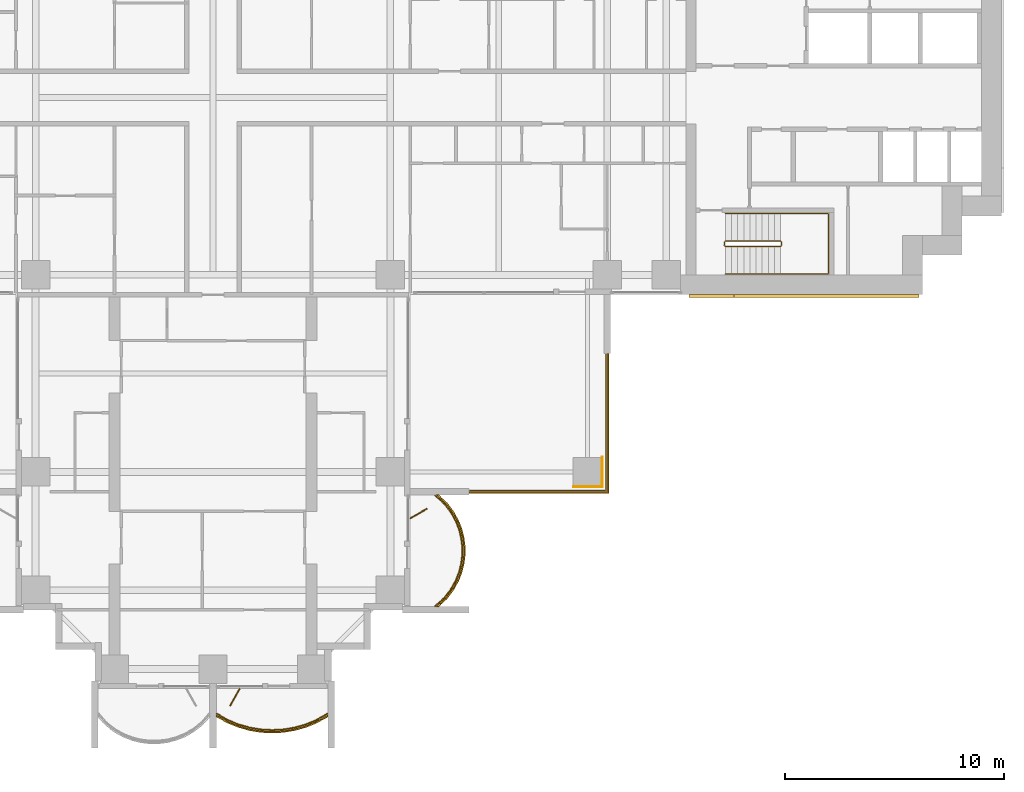
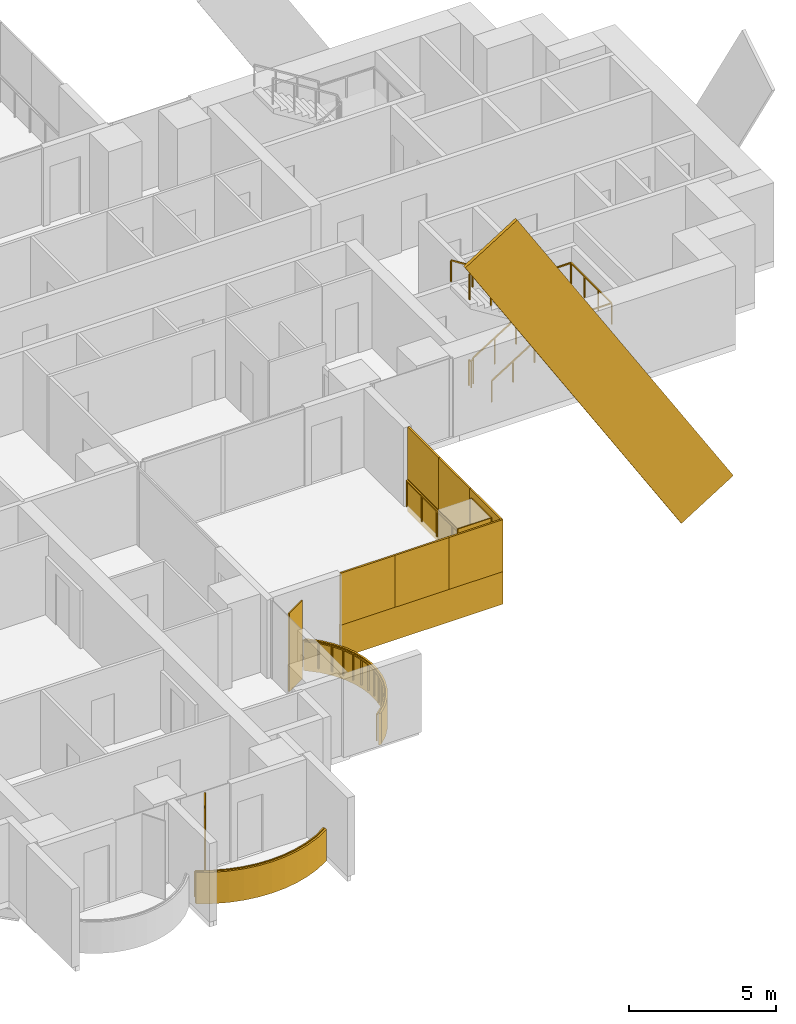
# One storey, part 20 of 23: 12 coverings, 5 railings, 2 shading devices.
"""IFC4 building model written with IfcOpenShell, lengths in metres."""

from ifc_helpers import new_model, si_unit, direction, frame, origin, origin_2d, place, context, subcontext, project, spatial, polyline, rectangle, outline, extrude, material, layer, layer_set, material_profile, profile_set, type_object, element, save


model = new_model("IFC4")

# Units and contexts
model_context = context("Model", 3, precision=1e-05, world=origin(), true_north=direction((0.0, 1.0)))
body_context = subcontext(model_context, "Body", "Model", "MODEL_VIEW")
ifc_project = project(units=[si_unit("LENGTHUNIT", "METRE"), si_unit("AREAUNIT", "SQUARE_METRE"), si_unit("VOLUMEUNIT", "CUBIC_METRE"), si_unit("PLANEANGLEUNIT", "RADIAN"), si_unit("MASSUNIT", "GRAM", prefix="KILO")], contexts=[model_context])

# Site, building, storey
site_placement = place(None, origin())
site = spatial("IfcSite", under=ifc_project, at=site_placement, CompositionType="ELEMENT")
building_placement = place(site_placement, origin())
building = spatial("IfcBuilding", under=site, at=building_placement, Name="Perihelion Cross Residences", CompositionType="ELEMENT")
storey_placement = place(building_placement, frame((0.0, 0.0, 61.0)))
storey = spatial("IfcBuildingStorey", under=building, at=storey_placement, Name="L12", CompositionType="ELEMENT", Elevation=61.0)

# Coverings
ifc_material_1 = material(Name="Bronze anodised aluminium", Category="aluminium")
ifc_layer_1 = layer(ifc_material_1, 0.070068359375)
ifc_layer_set_1 = layer_set([ifc_layer_1], Name="Balcony fascia 1300")
covering_type_1 = type_object("IfcCoveringType", Name="Balcony fascia 1300", PredefinedType="CLADDING", material=ifc_layer_set_1)
covering_1_placement = place(storey_placement, frame((0.0, 0.0, -0.199951171875)))
element("IfcCovering", 1, at=covering_1_placement, inside=storey, type_object=covering_type_1, Name="Fascia BF1 L12 south tip south bay 2", PredefinedType="CLADDING", context=body_context, shape_type="SweptSolid", body=[
    extrude(outline(polyline([(0.629638671875, -28.54833984375), (1.147216796875, -28.7607421875), (1.664794921875, -28.906494140625), (2.182373046875, -28.991943359375), (2.699951171875, -29.02001953125), (3.217529296875, -28.991943359375), (3.735107421875, -28.906494140625), (4.2529296875, -28.7607421875), (4.7705078125, -28.54833984375), (5.25, -28.2802734375), (5.25, -28.199951171875), (4.739990234375, -28.4853515625), (4.22998046875, -28.694580078125), (3.719970703125, -28.838134765625), (3.2099609375, -28.92236328125), (2.699951171875, -28.949951171875), (2.18994140625, -28.92236328125), (1.679931640625, -28.838134765625), (1.169921875, -28.694580078125), (0.659912109375, -28.4853515625), (0.14990234375, -28.199951171875), (0.14990234375, -28.2802734375), (0.629638671875, -28.54833984375)])), origin(), (0.0, 0.0, 1.0), 1.300048828125),
])
covering_2_placement = place(storey_placement, frame((0.0, 0.0, -0.199951171875)))
element("IfcCovering", 2, at=covering_2_placement, inside=storey, type_object=covering_type_1, Name="Fascia BF1 L12 south side east bay 1", PredefinedType="CLADDING", context=body_context, shape_type="SweptSolid", body=[
    extrude(outline(polyline([(10.674072265625, -22.90478515625), (10.982666015625, -22.50390625), (11.20654296875, -22.10302734375), (11.364013671875, -21.7021484375), (11.464599609375, -21.30126953125), (11.513916015625, -20.900390625), (11.513916015625, -20.49951171875), (11.464599609375, -20.0986328125), (11.364013671875, -19.69775390625), (11.20654296875, -19.296875), (10.982666015625, -18.89599609375), (10.674072265625, -18.4951171875), (10.302734375, -18.14990234375), (10.199951171875, -18.14990234375), (10.622314453125, -18.542236328125), (10.924072265625, -18.9345703125), (11.143310546875, -19.326904296875), (11.29736328125, -19.71923828125), (11.39599609375, -20.111572265625), (11.444091796875, -20.50390625), (11.444091796875, -20.896240234375), (11.39599609375, -21.28857421875), (11.29736328125, -21.6806640625), (11.143310546875, -22.072998046875), (10.924072265625, -22.46533203125), (10.622314453125, -22.857666015625), (10.199951171875, -23.25), (10.302734375, -23.25), (10.674072265625, -22.90478515625)])), origin(), (0.0, 0.0, 1.0), 1.300048828125),
])

# Railings
ifc_material_2 = material(Name="Bronze anodised aluminium", Category="aluminium")
railing_type_1 = type_object("IfcRailingType", Name="Balcony guard 1100", PredefinedType="GUARDRAIL", material=ifc_material_2)
railing_1_placement = place(storey_placement, frame((0.175048828125, -28.139892578125, 0.0)))
element("IfcRailing", 3, at=railing_1_placement, inside=storey, type_object=railing_type_1, Name="Guard GU1 L12 south tip south bay 2 balcony", PredefinedType="GUARDRAIL", context=body_context, shape_type="SweptSolid", body=[
    extrude(rectangle(XDim=0.048095703125, YDim=0.048095703125, at=origin_2d()), frame((0.0, 0.0, 1.076171875), z_axis=(0.861789164031, -0.507266632806, 0.0), x_axis=(0.507266632806, 0.861789164031, 0.0)), (0.0, 0.0, 1.0), 0.562744140625),
    extrude(rectangle(XDim=0.048095703125, YDim=0.048095703125, at=origin_2d()), frame((0.48486328125, -0.285400390625, 1.076171875), z_axis=(0.925172605972, -0.379546636342, 0.0), x_axis=(0.379546636342, 0.925172605972, 0.0)), (0.0, 0.0, 1.0), 0.55126953125),
    extrude(rectangle(XDim=0.048095703125, YDim=0.048095703125, at=origin_2d()), frame((0.994873046875, -0.49462890625, 1.076171875), z_axis=(0.962474364231, -0.271372618732, 0.0), x_axis=(0.271372618732, 0.962474364231, 0.0)), (0.0, 0.0, 1.0), 0.52978515625),
    extrude(rectangle(XDim=0.048095703125, YDim=0.048095703125, at=origin_2d()), frame((1.5048828125, -0.638427734375, 1.076171875), z_axis=(0.986711211531, -0.162483799314, 0.0), x_axis=(0.162483799314, 0.986711211531, 0.0)), (0.0, 0.0, 1.0), 0.516845703125),
    extrude(rectangle(XDim=0.048095703125, YDim=0.048095703125, at=origin_2d()), frame((2.014892578125, -0.722412109375, 1.076171875), z_axis=(0.998540183677, -0.05401390175, 0.0), x_axis=(0.05401390175, 0.998540183677, 0.0)), (0.0, 0.0, 1.0), 0.5107421875),
    extrude(rectangle(XDim=0.048095703125, YDim=0.048095703125, at=origin_2d()), frame((2.52490234375, -0.75, 1.076171875), z_axis=(0.998540183677, 0.05401390175, 0.0), x_axis=(-0.05401390175, 0.998540183677, 0.0)), (0.0, 0.0, 1.0), 0.5107421875),
    extrude(rectangle(XDim=0.048095703125, YDim=0.048095703125, at=origin_2d()), frame((3.034912109375, -0.722412109375, 1.076171875), z_axis=(0.986711211531, 0.162483799314, 0.0), x_axis=(-0.162483799314, 0.986711211531, 0.0)), (0.0, 0.0, 1.0), 0.516845703125),
    extrude(rectangle(XDim=0.048095703125, YDim=0.048095703125, at=origin_2d()), frame((3.544921875, -0.638427734375, 1.076171875), z_axis=(0.962474364231, 0.271372618732, 0.0), x_axis=(-0.271372618732, 0.962474364231, 0.0)), (0.0, 0.0, 1.0), 0.52978515625),
    extrude(rectangle(XDim=0.048095703125, YDim=0.048095703125, at=origin_2d()), frame((4.054931640625, -0.49462890625, 1.076171875), z_axis=(0.925172605972, 0.379546636342, 0.0), x_axis=(-0.379546636342, 0.925172605972, 0.0)), (0.0, 0.0, 1.0), 0.55126953125),
    extrude(rectangle(XDim=0.048095703125, YDim=0.048095703125, at=origin_2d()), frame((4.56494140625, -0.285400390625, 1.076171875), z_axis=(0.861900760591, 0.507076995033, 0.0), x_axis=(-0.507076995033, 0.861900760591, 0.0)), (0.0, 0.0, 1.0), 0.562744140625),
    extrude(rectangle(XDim=0.0419921875, YDim=0.0419921875, at=origin_2d()), origin(), (0.0, 0.0, 1.0), 1.052001953125),
    extrude(rectangle(XDim=0.0419921875, YDim=0.0419921875, at=origin_2d()), frame((0.48486328125, -0.285400390625, 0.0)), (0.0, 0.0, 1.0), 1.052001953125),
    extrude(rectangle(XDim=0.0419921875, YDim=0.0419921875, at=origin_2d()), frame((0.994873046875, -0.49462890625, 0.0)), (0.0, 0.0, 1.0), 1.052001953125),
    extrude(rectangle(XDim=0.0419921875, YDim=0.0419921875, at=origin_2d()), frame((1.5048828125, -0.638427734375, 0.0)), (0.0, 0.0, 1.0), 1.052001953125),
    extrude(rectangle(XDim=0.0419921875, YDim=0.0419921875, at=origin_2d()), frame((2.014892578125, -0.722412109375, 0.0)), (0.0, 0.0, 1.0), 1.052001953125),
    extrude(rectangle(XDim=0.0419921875, YDim=0.0419921875, at=origin_2d()), frame((2.52490234375, -0.75, 0.0)), (0.0, 0.0, 1.0), 1.052001953125),
    extrude(rectangle(XDim=0.0419921875, YDim=0.0419921875, at=origin_2d()), frame((3.034912109375, -0.722412109375, 0.0)), (0.0, 0.0, 1.0), 1.052001953125),
    extrude(rectangle(XDim=0.0419921875, YDim=0.0419921875, at=origin_2d()), frame((3.544921875, -0.638427734375, 0.0)), (0.0, 0.0, 1.0), 1.052001953125),
    extrude(rectangle(XDim=0.0419921875, YDim=0.0419921875, at=origin_2d()), frame((4.054931640625, -0.49462890625, 0.0)), (0.0, 0.0, 1.0), 1.052001953125),
    extrude(rectangle(XDim=0.0419921875, YDim=0.0419921875, at=origin_2d()), frame((4.56494140625, -0.285400390625, 0.0)), (0.0, 0.0, 1.0), 1.052001953125),
    extrude(rectangle(XDim=0.0419921875, YDim=0.0419921875, at=origin_2d()), frame((5.050048828125, 0.0, 0.0)), (0.0, 0.0, 1.0), 1.052001953125),
])
railing_2_placement = place(storey_placement, frame((10.139892578125, -23.22509765625, 0.0)))
element("IfcRailing", 4, at=railing_2_placement, inside=storey, type_object=railing_type_1, Name="Guard GU1 L12 south side east bay 1 balcony", PredefinedType="GUARDRAIL", context=body_context, shape_type="SweptSolid", body=[
    extrude(rectangle(XDim=0.048095703125, YDim=0.048095703125, at=origin_2d()), frame((0.0, 0.0, 1.076171875), z_axis=(0.754464673757, 0.656340655493, 0.0), x_axis=(-0.656340655493, 0.754464673757, 0.0)), (0.0, 0.0, 1.0), 0.559814453125),
    extrude(rectangle(XDim=0.048095703125, YDim=0.048095703125, at=origin_2d()), frame((0.42236328125, 0.367431640625, 1.076171875), z_axis=(0.60966308455, 0.792660660899, 0.0), x_axis=(-0.792660660899, 0.60966308455, 0.0)), (0.0, 0.0, 1.0), 0.494873046875),
    extrude(rectangle(XDim=0.048095703125, YDim=0.048095703125, at=origin_2d()), frame((0.72412109375, 0.759765625, 1.076171875), z_axis=(0.487809182674, 0.872950285698, 0.0), x_axis=(-0.872950285698, 0.487809182674, 0.0)), (0.0, 0.0, 1.0), 0.449462890625),
    extrude(rectangle(XDim=0.048095703125, YDim=0.048095703125, at=origin_2d()), frame((0.943359375, 1.152099609375, 1.076171875), z_axis=(0.365491079925, 0.930814842219, 0.0), x_axis=(-0.930814842219, 0.365491079925, 0.0)), (0.0, 0.0, 1.0), 0.42138671875),
    extrude(rectangle(XDim=0.048095703125, YDim=0.048095703125, at=origin_2d()), frame((1.097412109375, 1.54443359375, 1.076171875), z_axis=(0.243956193074, 0.969786252666, 0.0), x_axis=(-0.969786252666, 0.243956193074, 0.0)), (0.0, 0.0, 1.0), 0.404296875),
    extrude(rectangle(XDim=0.048095703125, YDim=0.048095703125, at=origin_2d()), frame((1.196044921875, 1.9365234375, 1.076171875), z_axis=(0.121677797999, 0.992569651699, 0.0), x_axis=(-0.992569651699, 0.121677797999, 0.0)), (0.0, 0.0, 1.0), 0.395263671875),
    extrude(rectangle(XDim=0.048095703125, YDim=0.048095703125, at=origin_2d()), frame((1.244140625, 2.328857421875, 1.076171875), z_axis=(0.0, 1.0, 0.0), x_axis=(-1.0, 0.0, 0.0)), (0.0, 0.0, 1.0), 0.392333984375),
    extrude(rectangle(XDim=0.048095703125, YDim=0.048095703125, at=origin_2d()), frame((1.244140625, 2.72119140625, 1.076171875), z_axis=(-0.121677797999, 0.992569651699, 0.0), x_axis=(-0.992569651699, -0.121677797999, 0.0)), (0.0, 0.0, 1.0), 0.395263671875),
    extrude(rectangle(XDim=0.048095703125, YDim=0.048095703125, at=origin_2d()), frame((1.196044921875, 3.113525390625, 1.076171875), z_axis=(-0.243813411509, 0.969822159145, 0.0), x_axis=(-0.969822159145, -0.243813411509, 0.0)), (0.0, 0.0, 1.0), 0.404541015625),
    extrude(rectangle(XDim=0.048095703125, YDim=0.048095703125, at=origin_2d()), frame((1.097412109375, 3.505859375, 1.076171875), z_axis=(-0.365491079925, 0.930814842219, 0.0), x_axis=(-0.930814842219, -0.365491079925, 0.0)), (0.0, 0.0, 1.0), 0.42138671875),
    extrude(rectangle(XDim=0.048095703125, YDim=0.048095703125, at=origin_2d()), frame((0.943359375, 3.898193359375, 1.076171875), z_axis=(-0.487809182674, 0.872950285698, 0.0), x_axis=(-0.872950285698, -0.487809182674, 0.0)), (0.0, 0.0, 1.0), 0.449462890625),
    extrude(rectangle(XDim=0.048095703125, YDim=0.048095703125, at=origin_2d()), frame((0.72412109375, 4.29052734375, 1.076171875), z_axis=(-0.60966308455, 0.792660660899, 0.0), x_axis=(-0.792660660899, -0.60966308455, 0.0)), (0.0, 0.0, 1.0), 0.494873046875),
    extrude(rectangle(XDim=0.048095703125, YDim=0.048095703125, at=origin_2d()), frame((0.42236328125, 4.682861328125, 1.076171875), z_axis=(-0.754680648599, 0.656092309534, 0.0), x_axis=(-0.656092309534, -0.754680648599, 0.0)), (0.0, 0.0, 1.0), 0.5595703125),
    extrude(rectangle(XDim=0.0419921875, YDim=0.0419921875, at=origin_2d()), origin(), (0.0, 0.0, 1.0), 1.052001953125),
    extrude(rectangle(XDim=0.0419921875, YDim=0.0419921875, at=origin_2d()), frame((0.42236328125, 0.367431640625, 0.0)), (0.0, 0.0, 1.0), 1.052001953125),
    extrude(rectangle(XDim=0.0419921875, YDim=0.0419921875, at=origin_2d()), frame((0.72412109375, 0.759765625, 0.0)), (0.0, 0.0, 1.0), 1.052001953125),
    extrude(rectangle(XDim=0.0419921875, YDim=0.0419921875, at=origin_2d()), frame((0.943359375, 1.152099609375, 0.0)), (0.0, 0.0, 1.0), 1.052001953125),
    extrude(rectangle(XDim=0.0419921875, YDim=0.0419921875, at=origin_2d()), frame((1.097412109375, 1.54443359375, 0.0)), (0.0, 0.0, 1.0), 1.052001953125),
    extrude(rectangle(XDim=0.0419921875, YDim=0.0419921875, at=origin_2d()), frame((1.196044921875, 1.9365234375, 0.0)), (0.0, 0.0, 1.0), 1.052001953125),
    extrude(rectangle(XDim=0.0419921875, YDim=0.0419921875, at=origin_2d()), frame((1.244140625, 2.328857421875, 0.0)), (0.0, 0.0, 1.0), 1.052001953125),
    extrude(rectangle(XDim=0.0419921875, YDim=0.0419921875, at=origin_2d()), frame((1.244140625, 2.72119140625, 0.0)), (0.0, 0.0, 1.0), 1.052001953125),
    extrude(rectangle(XDim=0.0419921875, YDim=0.0419921875, at=origin_2d()), frame((1.196044921875, 3.113525390625, 0.0)), (0.0, 0.0, 1.0), 1.052001953125),
    extrude(rectangle(XDim=0.0419921875, YDim=0.0419921875, at=origin_2d()), frame((1.097412109375, 3.505859375, 0.0)), (0.0, 0.0, 1.0), 1.052001953125),
    extrude(rectangle(XDim=0.0419921875, YDim=0.0419921875, at=origin_2d()), frame((0.943359375, 3.898193359375, 0.0)), (0.0, 0.0, 1.0), 1.052001953125),
    extrude(rectangle(XDim=0.0419921875, YDim=0.0419921875, at=origin_2d()), frame((0.72412109375, 4.29052734375, 0.0)), (0.0, 0.0, 1.0), 1.052001953125),
    extrude(rectangle(XDim=0.0419921875, YDim=0.0419921875, at=origin_2d()), frame((0.42236328125, 4.682861328125, 0.0)), (0.0, 0.0, 1.0), 1.052001953125),
    extrude(rectangle(XDim=0.0419921875, YDim=0.0419921875, at=origin_2d()), frame((0.0, 5.050048828125, 0.0)), (0.0, 0.0, 1.0), 1.052001953125),
])
railing_3_placement = place(storey_placement, frame((17.93994140625, -11.739990234375, 0.0)))
element("IfcRailing", 5, at=railing_3_placement, inside=storey, type_object=railing_type_1, Name="Guard GU1 L12 pocket south-east 1", PredefinedType="GUARDRAIL", context=body_context, shape_type="SweptSolid", body=[
    extrude(rectangle(XDim=0.048095703125, YDim=0.048095703125, at=origin_2d()), frame((0.0, 0.0, 1.076171875), z_axis=(0.0, -1.0, 0.0), x_axis=(1.0, 0.0, 0.0)), (0.0, 0.0, 1.0), 6.199951171875),
    extrude(rectangle(XDim=0.048095703125, YDim=0.048095703125, at=origin_2d()), frame((0.0, -6.199951171875, 1.076171875), z_axis=(-1.0, 0.0, 0.0), x_axis=(0.0, -1.0, 0.0)), (0.0, 0.0, 1.0), 6.199951171875),
    extrude(rectangle(XDim=0.0419921875, YDim=0.0419921875, at=origin_2d()), origin(), (0.0, 0.0, 1.0), 1.052001953125),
    extrude(rectangle(XDim=0.0419921875, YDim=0.0419921875, at=origin_2d()), frame((0.0, -1.033203125, 0.0)), (0.0, 0.0, 1.0), 1.052001953125),
    extrude(rectangle(XDim=0.0419921875, YDim=0.0419921875, at=origin_2d()), frame((0.0, -2.066650390625, 0.0)), (0.0, 0.0, 1.0), 1.052001953125),
    extrude(rectangle(XDim=0.0419921875, YDim=0.0419921875, at=origin_2d()), frame((0.0, -3.10009765625, 0.0)), (0.0, 0.0, 1.0), 1.052001953125),
    extrude(rectangle(XDim=0.0419921875, YDim=0.0419921875, at=origin_2d()), frame((0.0, -4.13330078125, 0.0)), (0.0, 0.0, 1.0), 1.052001953125),
    extrude(rectangle(XDim=0.0419921875, YDim=0.0419921875, at=origin_2d()), frame((0.0, -5.16650390625, 0.0)), (0.0, 0.0, 1.0), 1.052001953125),
    extrude(rectangle(XDim=0.0419921875, YDim=0.0419921875, at=origin_2d()), frame((0.0, -6.199951171875, 0.0)), (0.0, 0.0, 1.0), 1.052001953125),
    extrude(rectangle(XDim=0.0419921875, YDim=0.0419921875, at=origin_2d()), frame((-1.033203125, -6.199951171875, 0.0)), (0.0, 0.0, 1.0), 1.052001953125),
    extrude(rectangle(XDim=0.0419921875, YDim=0.0419921875, at=origin_2d()), frame((-2.066650390625, -6.199951171875, 0.0)), (0.0, 0.0, 1.0), 1.052001953125),
    extrude(rectangle(XDim=0.0419921875, YDim=0.0419921875, at=origin_2d()), frame((-3.10009765625, -6.199951171875, 0.0)), (0.0, 0.0, 1.0), 1.052001953125),
    extrude(rectangle(XDim=0.0419921875, YDim=0.0419921875, at=origin_2d()), frame((-4.13330078125, -6.199951171875, 0.0)), (0.0, 0.0, 1.0), 1.052001953125),
    extrude(rectangle(XDim=0.0419921875, YDim=0.0419921875, at=origin_2d()), frame((-5.16650390625, -6.199951171875, 0.0)), (0.0, 0.0, 1.0), 1.052001953125),
    extrude(rectangle(XDim=0.0419921875, YDim=0.0419921875, at=origin_2d()), frame((-6.199951171875, -6.199951171875, 0.0)), (0.0, 0.0, 1.0), 1.052001953125),
])

# Coverings
ifc_material_3 = material(Name="Bronze anodised aluminium", Category="aluminium")
ifc_material_profile = material_profile(ifc_material_3, rectangle(XDim=0.125, YDim=2.39990234375, at=origin_2d()), Name="Bronze cladding band 2400")
ifc_profile_set = profile_set([ifc_material_profile], Name="Bronze anodised aluminium")
covering_type_2 = type_object("IfcCoveringType", Name="Bronze cladding band 2400", PredefinedType="CLADDING", material=ifc_profile_set)
covering_3_placement = place(storey_placement, frame((31.232421875, -9.0625, -5.951904296875), z_axis=(-0.529924750763, 0.0, 0.848044667767), x_axis=(0.0, -1.0, 0.0)))
element("IfcCovering", 6, at=covering_3_placement, inside=storey, type_object=covering_type_2, Name="Core cladding band, east core", PredefinedType="CLADDING", context=body_context, shape_type="SweptSolid", body=[
    extrude(rectangle(XDim=0.125, YDim=2.39990234375, at=origin_2d()), origin(), (0.0, 0.0, 1.0), 15.9736328125),
])
ifc_material_4 = material(Name="Bronze anodised aluminium", Category="aluminium")
ifc_layer_2 = layer(ifc_material_4, 0.0400390625)
ifc_layer_set_2 = layer_set([ifc_layer_2], Name="Bronze column casing 40")
covering_type_3 = type_object("IfcCoveringType", Name="Bronze column casing 40", PredefinedType="CLADDING", material=ifc_layer_set_2)
covering_4_placement = place(storey_placement, frame((17.77001953125, -17.10009765625, -0.25), z_axis=(0.0, 0.0, 1.0), x_axis=(1.0, 0.0, 0.0)))
element("IfcCovering", 7, at=covering_4_placement, inside=storey, type_object=covering_type_3, Name="Cladding CC1 L12 casing east-west no. 3", PredefinedType="CLADDING", context=body_context, shape_type="SweptSolid", body=[
    extrude(rectangle(XDim=0.0400390625, YDim=1.3798828125, at=origin_2d()), origin(), (0.0, 0.0, 1.0), 3.5),
])
covering_5_placement = place(storey_placement, frame((17.10009765625, -17.77001953125, -0.25), z_axis=(0.0, 0.0, 1.0), x_axis=(1.0, 0.0, 0.0)))
element("IfcCovering", 8, at=covering_5_placement, inside=storey, type_object=covering_type_3, Name="Cladding CC1 L12 casing north-south no. 3", PredefinedType="CLADDING", context=body_context, shape_type="SweptSolid", body=[
    extrude(rectangle(XDim=1.300048828125, YDim=0.0400390625, at=origin_2d()), origin(), (0.0, 0.0, 1.0), 3.5),
])

# Shading devices
ifc_material_5 = material(Name="Bronze anodised aluminium", Category="aluminium")
ifc_layer_3 = layer(ifc_material_5, 0.050048828125)
ifc_layer_set_3 = layer_set([ifc_layer_3], Name="Bronze fin 900")
shading_device_type = type_object("IfcShadingDeviceType", Name="Bronze fin 900", PredefinedType="USERDEFINED", material=ifc_layer_set_3)
for number, where, z_axis, x_axis, name in (
    (9, (1.0, -27.3896484375, 0.0), (0.0, 0.0, 1.0), (-0.5, -0.866025403784, 0.0), "Fin FN1 L12 south tip south bay 2"),
    (10, (9.3896484375, -19.0, 0.0), (0.0, 0.0, 1.0), (0.866025403784, 0.5, 0.0), "Fin FN1 L12 south side east bay 1"),
):
    element("IfcShadingDevice", number, at=place(storey_placement, frame(where, z_axis=z_axis, x_axis=x_axis)), inside=storey, type_object=shading_device_type, Name=name, ObjectType="FIN", PredefinedType="USERDEFINED", context=body_context, shape_type="SweptSolid", body=[
        extrude(rectangle(XDim=0.89990234375, YDim=0.050048828125, at=origin_2d()), origin(), (0.0, 0.0, 1.0), 3.25),
    ])

# Coverings
ifc_material_6 = material(Name="Bronze anodised aluminium", Category="aluminium")
ifc_layer_4 = layer(ifc_material_6, 0.070068359375)
ifc_layer_set_4 = layer_set([ifc_layer_4], Name="Pocket fascia 1350")
covering_type_4 = type_object("IfcCoveringType", Name="Pocket fascia 1350", PredefinedType="CLADDING", material=ifc_layer_set_4)
covering_6_placement = place(storey_placement, frame((0.0, 0.0, -0.25)))
element("IfcCovering", 11, at=covering_6_placement, inside=storey, type_object=covering_type_4, Name="Fascia BF2 L12 pocket south-east 3", PredefinedType="CLADDING", context=body_context, shape_type="SweptSolid", body=[
    extrude(outline(polyline([(18.070068359375, -18.070068359375), (18.070068359375, -11.699951171875), (18.0, -11.699951171875), (18.0, -18.0), (11.699951171875, -18.0), (11.699951171875, -18.070068359375), (18.070068359375, -18.070068359375)])), origin(), (0.0, 0.0, 1.0), 1.35009765625),
])
ifc_material_7 = material(Name="Bronze perforated aluminium", Category="aluminium")
ifc_layer_5 = layer(ifc_material_7, 0.070068359375)
ifc_layer_set_5 = layer_set([ifc_layer_5], Name="Pocket solar screen, bronze perforated")
covering_type_5 = type_object("IfcCoveringType", Name="Pocket solar screen, bronze perforated", PredefinedType="CLADDING", material=ifc_layer_set_5)
covering_7_placement = place(storey_placement, frame((0.0, 0.0, 1.10009765625)))
element("IfcCovering", 12, at=covering_7_placement, inside=storey, type_object=covering_type_5, Name="Solar screen PS1 L12 pocket south-east no. 1", PredefinedType="CLADDING", context=body_context, shape_type="SweptSolid", body=[
    extrude(outline(polyline([(18.070068359375, -18.0), (18.070068359375, -15.89990234375), (18.0, -15.89990234375), (18.0, -18.0), (18.070068359375, -18.0)])), origin(), (0.0, 0.0, 1.0), 2.14990234375),
])
covering_8_placement = place(storey_placement, frame((0.0, 0.0, 1.10009765625)))
element("IfcCovering", 13, at=covering_8_placement, inside=storey, type_object=covering_type_5, Name="Solar screen PS1 L12 pocket south-east no. 2", PredefinedType="CLADDING", context=body_context, shape_type="SweptSolid", body=[
    extrude(outline(polyline([(18.070068359375, -15.89990234375), (18.070068359375, -13.800048828125), (18.0, -13.800048828125), (18.0, -15.89990234375), (18.070068359375, -15.89990234375)])), origin(), (0.0, 0.0, 1.0), 2.14990234375),
])
covering_9_placement = place(storey_placement, frame((0.0, 0.0, 1.10009765625)))
element("IfcCovering", 14, at=covering_9_placement, inside=storey, type_object=covering_type_5, Name="Solar screen PS1 L12 pocket south-east no. 3", PredefinedType="CLADDING", context=body_context, shape_type="SweptSolid", body=[
    extrude(outline(polyline([(18.070068359375, -13.800048828125), (18.070068359375, -11.699951171875), (18.0, -11.699951171875), (18.0, -13.800048828125), (18.070068359375, -13.800048828125)])), origin(), (0.0, 0.0, 1.0), 2.14990234375),
])
covering_10_placement = place(storey_placement, frame((0.0, 0.0, 1.10009765625)))
element("IfcCovering", 15, at=covering_10_placement, inside=storey, type_object=covering_type_5, Name="Solar screen PS1 L12 pocket south-east no. 4", PredefinedType="CLADDING", context=body_context, shape_type="SweptSolid", body=[
    extrude(outline(polyline([(13.8232421875, -18.070068359375), (13.8232421875, -18.0), (11.699951171875, -18.0), (11.699951171875, -18.070068359375), (13.8232421875, -18.070068359375)])), origin(), (0.0, 0.0, 1.0), 2.14990234375),
])
covering_11_placement = place(storey_placement, frame((0.0, 0.0, 1.10009765625)))
element("IfcCovering", 16, at=covering_11_placement, inside=storey, type_object=covering_type_5, Name="Solar screen PS1 L12 pocket south-east no. 5", PredefinedType="CLADDING", context=body_context, shape_type="SweptSolid", body=[
    extrude(outline(polyline([(15.94677734375, -18.070068359375), (15.94677734375, -18.0), (13.8232421875, -18.0), (13.8232421875, -18.070068359375), (15.94677734375, -18.070068359375)])), origin(), (0.0, 0.0, 1.0), 2.14990234375),
])
covering_12_placement = place(storey_placement, frame((0.0, 0.0, 1.10009765625)))
element("IfcCovering", 17, at=covering_12_placement, inside=storey, type_object=covering_type_5, Name="Solar screen PS1 L12 pocket south-east no. 6", PredefinedType="CLADDING", context=body_context, shape_type="SweptSolid", body=[
    extrude(outline(polyline([(18.070068359375, -18.070068359375), (18.070068359375, -18.0), (15.94677734375, -18.0), (15.94677734375, -18.070068359375), (18.070068359375, -18.070068359375)])), origin(), (0.0, 0.0, 1.0), 2.14990234375),
])

# Railings
ifc_material_8 = material(Name="Stainless steel", Category="steel")
railing_type_2 = type_object("IfcRailingType", Name="Stair guard 1100", PredefinedType="GUARDRAIL", material=ifc_material_8)
railing_4_placement = place(storey_placement, frame((23.35009765625, -6.60009765625, 0.0)))
element("IfcRailing", 18, at=railing_4_placement, inside=storey, type_object=railing_type_2, Name="L12 ST-E2 stair guard 1", PredefinedType="GUARDRAIL", context=body_context, shape_type="SweptSolid", body=[
    extrude(rectangle(XDim=0.048095703125, YDim=0.048095703125, at=origin_2d()), frame((0.0, 0.0, 1.076171875), z_axis=(0.0, -1.0, 0.0), x_axis=(1.0, 0.0, 0.0)), (0.0, 0.0, 1.0), 0.14990234375),
    extrude(rectangle(XDim=0.048095703125, YDim=0.048095703125, at=origin_2d()), frame((0.0, -0.14990234375, 1.076171875), z_axis=(0.263862480399, -0.265155923931, 0.927399011991), x_axis=(0.708833529934, 0.705375805398, 0.0)), (0.0, 0.0, 1.0), 0.188720703125),
    extrude(rectangle(XDim=0.048095703125, YDim=0.048095703125, at=origin_2d()), frame((0.0498046875, -0.199951171875, 1.2509765625), z_axis=(0.848007534815, 0.0, 0.529984170421), x_axis=(0.0, 1.0, 0.0)), (0.0, 0.0, 1.0), 2.9716796875),
    extrude(rectangle(XDim=0.048095703125, YDim=0.048095703125, at=origin_2d()), frame((2.56982421875, -0.199951171875, 2.826171875), z_axis=(0.707106781187, 0.707106781187, 0.0), x_axis=(-0.707106781187, 0.707106781187, 0.0)), (0.0, 0.0, 1.0), 0.07080078125),
    extrude(rectangle(XDim=0.048095703125, YDim=0.048095703125, at=origin_2d()), frame((2.619873046875, -0.14990234375, 2.826171875), z_axis=(0.0, 1.0, 0.0), x_axis=(-1.0, 0.0, 0.0)), (0.0, 0.0, 1.0), 0.14990234375),
    extrude(rectangle(XDim=0.048095703125, YDim=0.048095703125, at=origin_2d()), frame((2.619873046875, 0.0, 2.826171875), z_axis=(-0.265065253269, 0.265065253269, 0.927081885822), x_axis=(-0.707106781187, -0.707106781187, 0.0)), (0.0, 0.0, 1.0), 0.188720703125),
    extrude(rectangle(XDim=0.048095703125, YDim=0.048095703125, at=origin_2d()), frame((2.56982421875, 0.050048828125, 3.0009765625), z_axis=(-0.848007534815, 0.0, 0.529984170421), x_axis=(0.0, -1.0, 0.0)), (0.0, 0.0, 1.0), 2.9716796875),
    extrude(rectangle(XDim=0.0419921875, YDim=0.0419921875, at=origin_2d()), origin(), (0.0, 0.0, 1.0), 1.052001953125),
    extrude(rectangle(XDim=0.0419921875, YDim=0.0419921875, at=origin_2d()), frame((0.0, -0.14990234375, 0.0)), (0.0, 0.0, 1.0), 1.052001953125),
    extrude(rectangle(XDim=0.0419921875, YDim=0.0419921875, at=origin_2d()), frame((0.0498046875, -0.199951171875, 0.175048828125)), (0.0, 0.0, 1.0), 1.052001953125),
    extrude(rectangle(XDim=0.0419921875, YDim=0.0419921875, at=origin_2d()), frame((0.889892578125, -0.199951171875, 0.699951171875)), (0.0, 0.0, 1.0), 1.052001953125),
    extrude(rectangle(XDim=0.0419921875, YDim=0.0419921875, at=origin_2d()), frame((1.729736328125, -0.199951171875, 1.22509765625)), (0.0, 0.0, 1.0), 1.052001953125),
    extrude(rectangle(XDim=0.0419921875, YDim=0.0419921875, at=origin_2d()), frame((2.56982421875, -0.199951171875, 1.75)), (0.0, 0.0, 1.0), 1.052001953125),
    extrude(rectangle(XDim=0.0419921875, YDim=0.0419921875, at=origin_2d()), frame((2.619873046875, -0.14990234375, 1.75)), (0.0, 0.0, 1.0), 1.052001953125),
    extrude(rectangle(XDim=0.0419921875, YDim=0.0419921875, at=origin_2d()), frame((2.619873046875, 0.0, 1.75)), (0.0, 0.0, 1.0), 1.052001953125),
    extrude(rectangle(XDim=0.0419921875, YDim=0.0419921875, at=origin_2d()), frame((2.56982421875, 0.050048828125, 1.925048828125)), (0.0, 0.0, 1.0), 1.052001953125),
    extrude(rectangle(XDim=0.0419921875, YDim=0.0419921875, at=origin_2d()), frame((1.729736328125, 0.050048828125, 2.449951171875)), (0.0, 0.0, 1.0), 1.052001953125),
    extrude(rectangle(XDim=0.0419921875, YDim=0.0419921875, at=origin_2d()), frame((0.889892578125, 0.050048828125, 2.97509765625)), (0.0, 0.0, 1.0), 1.052001953125),
    extrude(rectangle(XDim=0.0419921875, YDim=0.0419921875, at=origin_2d()), frame((0.0498046875, 0.050048828125, 3.5)), (0.0, 0.0, 1.0), 1.052001953125),
])
ifc_material_9 = material(Name="Stainless steel", Category="steel")
railing_type_3 = type_object("IfcRailingType", Name="Stair handrail 900", PredefinedType="HANDRAIL", material=ifc_material_9)
railing_5_placement = place(storey_placement, frame((23.39990234375, -8.050048828125, 0.175048828125)))
element("IfcRailing", 19, at=railing_5_placement, inside=storey, type_object=railing_type_3, Name="L12 ST-E2 stair handrail 1", PredefinedType="HANDRAIL", context=body_context, shape_type="SweptSolid", body=[
    extrude(rectangle(XDim=0.048095703125, YDim=0.048095703125, at=origin_2d()), frame((0.0, 0.0, 0.8759765625), z_axis=(0.848007534815, 0.0, 0.529984170421), x_axis=(0.0, 1.0, 0.0)), (0.0, 0.0, 1.0), 2.9716796875),
    extrude(rectangle(XDim=0.048095703125, YDim=0.048095703125, at=origin_2d()), frame((2.52001953125, 0.0, 2.45068359375), z_axis=(1.0, 0.0, 0.0), x_axis=(0.0, 1.0, 0.0)), (0.0, 0.0, 1.0), 2.18017578125),
    extrude(rectangle(XDim=0.048095703125, YDim=0.048095703125, at=origin_2d()), frame((4.7001953125, 0.0, 2.45068359375), z_axis=(0.0, 1.0, 0.0), x_axis=(-1.0, 0.0, 0.0)), (0.0, 0.0, 1.0), 2.75),
    extrude(rectangle(XDim=0.048095703125, YDim=0.048095703125, at=origin_2d()), frame((4.7001953125, 2.75, 2.45068359375), z_axis=(-1.0, 0.0, 0.0), x_axis=(0.0, -1.0, 0.0)), (0.0, 0.0, 1.0), 2.18017578125),
    extrude(rectangle(XDim=0.048095703125, YDim=0.048095703125, at=origin_2d()), frame((2.52001953125, 2.75, 2.45068359375), z_axis=(0.0, 0.0, 1.0), x_axis=(1.0, 0.0, 0.0)), (0.0, 0.0, 1.0), 0.175048828125),
    extrude(rectangle(XDim=0.048095703125, YDim=0.048095703125, at=origin_2d()), frame((2.52001953125, 2.75, 2.6259765625), z_axis=(-0.848007534815, 0.0, 0.529984170421), x_axis=(0.0, -1.0, 0.0)), (0.0, 0.0, 1.0), 2.9716796875),
    extrude(rectangle(XDim=0.0419921875, YDim=0.0419921875, at=origin_2d()), origin(), (0.0, 0.0, 1.0), 0.851806640625),
    extrude(rectangle(XDim=0.0419921875, YDim=0.0419921875, at=origin_2d()), frame((0.840087890625, 0.0, 0.52490234375)), (0.0, 0.0, 1.0), 0.851806640625),
    extrude(rectangle(XDim=0.0419921875, YDim=0.0419921875, at=origin_2d()), frame((1.679931640625, 0.0, 1.050048828125)), (0.0, 0.0, 1.0), 0.851806640625),
    extrude(rectangle(XDim=0.0419921875, YDim=0.0419921875, at=origin_2d()), frame((2.52001953125, 0.0, 1.574951171875)), (0.0, 0.0, 1.0), 0.851806640625),
    extrude(rectangle(XDim=0.0419921875, YDim=0.0419921875, at=origin_2d()), frame((3.610107421875, 0.0, 1.574951171875)), (0.0, 0.0, 1.0), 0.851806640625),
    extrude(rectangle(XDim=0.0419921875, YDim=0.0419921875, at=origin_2d()), frame((4.7001953125, 0.0, 1.574951171875)), (0.0, 0.0, 1.0), 0.851806640625),
    extrude(rectangle(XDim=0.0419921875, YDim=0.0419921875, at=origin_2d()), frame((4.7001953125, 0.916748046875, 1.574951171875)), (0.0, 0.0, 1.0), 0.851806640625),
    extrude(rectangle(XDim=0.0419921875, YDim=0.0419921875, at=origin_2d()), frame((4.7001953125, 1.833251953125, 1.574951171875)), (0.0, 0.0, 1.0), 0.851806640625),
    extrude(rectangle(XDim=0.0419921875, YDim=0.0419921875, at=origin_2d()), frame((4.7001953125, 2.75, 1.574951171875)), (0.0, 0.0, 1.0), 0.851806640625),
    extrude(rectangle(XDim=0.0419921875, YDim=0.0419921875, at=origin_2d()), frame((3.610107421875, 2.75, 1.574951171875)), (0.0, 0.0, 1.0), 0.851806640625),
    extrude(rectangle(XDim=0.0419921875, YDim=0.0419921875, at=origin_2d()), frame((2.52001953125, 2.75, 1.574951171875)), (0.0, 0.0, 1.0), 0.851806640625),
    extrude(rectangle(XDim=0.0419921875, YDim=0.0419921875, at=origin_2d()), frame((2.52001953125, 2.75, 1.75)), (0.0, 0.0, 1.0), 0.851806640625),
    extrude(rectangle(XDim=0.0419921875, YDim=0.0419921875, at=origin_2d()), frame((1.679931640625, 2.75, 2.27490234375)), (0.0, 0.0, 1.0), 0.851806640625),
    extrude(rectangle(XDim=0.0419921875, YDim=0.0419921875, at=origin_2d()), frame((0.840087890625, 2.75, 2.800048828125)), (0.0, 0.0, 1.0), 0.851806640625),
    extrude(rectangle(XDim=0.0419921875, YDim=0.0419921875, at=origin_2d()), frame((0.0, 2.75, 3.324951171875)), (0.0, 0.0, 1.0), 0.851806640625),
])

save(model, "model.ifc")
